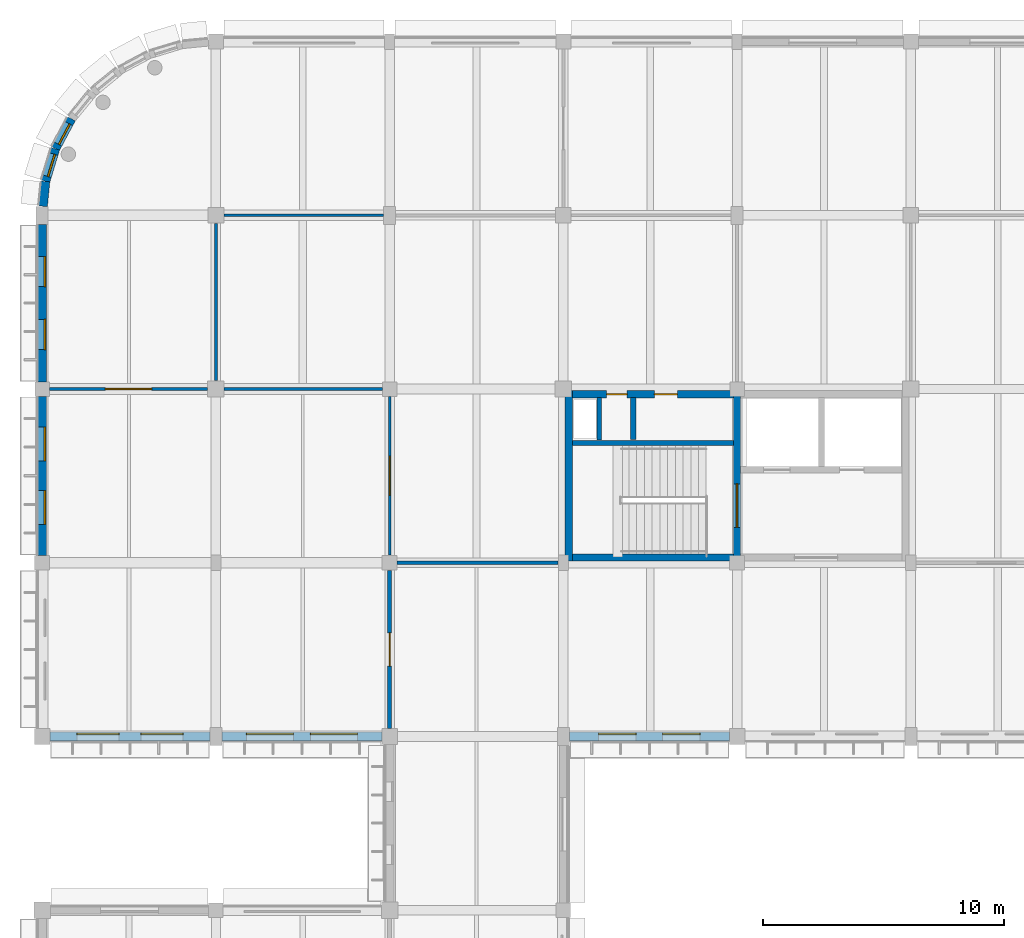
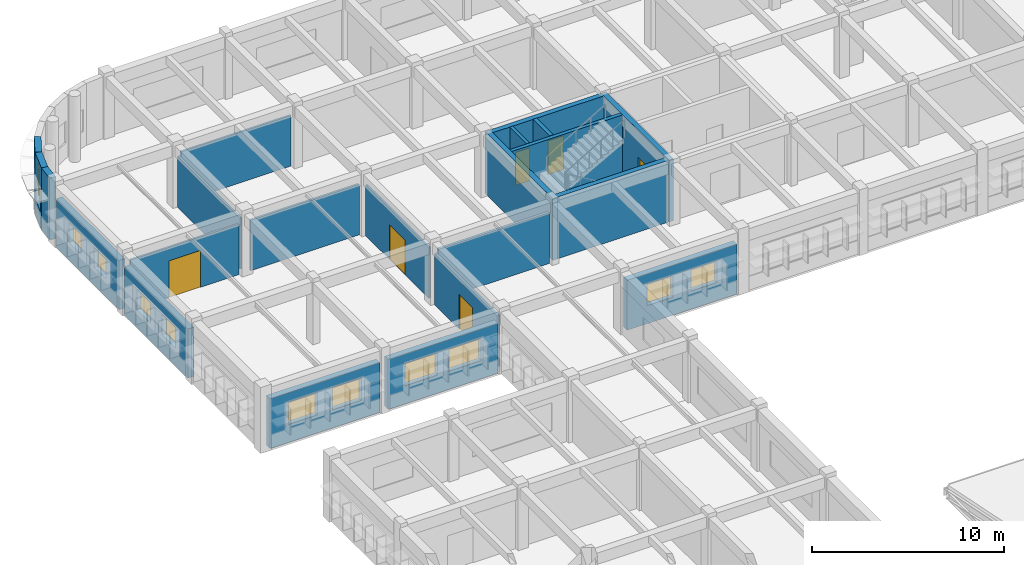
# One storey, part 86 of 103: 22 walls, 12 windows, 6 doors, 18 openings.
"""IFC4 building model written with IfcOpenShell, lengths in metres."""

from ifc_helpers import new_model, si_unit, direction, frame, frame_2d, origin, place, context, subcontext, project, spatial, rectangle, extrude, material, layer, layer_set, type_object, element, fill, save


model = new_model("IFC4")

# Units and contexts
model_context = context("Model", 3, precision=1e-05, world=origin(), true_north=direction((0.0, 1.0)))
body_context = subcontext(model_context, "Body", "Model", "MODEL_VIEW")
ifc_project = project(units=[si_unit("LENGTHUNIT", "METRE"), si_unit("AREAUNIT", "SQUARE_METRE"), si_unit("VOLUMEUNIT", "CUBIC_METRE"), si_unit("PLANEANGLEUNIT", "RADIAN"), si_unit("MASSUNIT", "GRAM", prefix="KILO")], contexts=[model_context])

# Site, building, storey
site_placement = place(None, origin())
site = spatial("IfcSite", under=ifc_project, at=site_placement, CompositionType="ELEMENT")
building_placement = place(site_placement, origin())
building = spatial("IfcBuilding", under=site, at=building_placement, Name="Thalmaran Polytechnic", CompositionType="ELEMENT")
storey_placement = place(building_placement, frame((0.0, 0.0, 14.39990234375)))
storey = spatial("IfcBuildingStorey", under=building, at=storey_placement, Name="L03", CompositionType="ELEMENT", Elevation=14.39990234375)

# Wall, openings, windows
ifc_material_1 = material(Name="Precast concrete C40/50", Category="concrete")
ifc_layer_1 = layer(ifc_material_1, 0.360107421875, Name="Precast concrete C40/50")
ifc_layer_set_1 = layer_set([ifc_layer_1], Name="Precast concrete C40/50")
wall_type_1 = type_object("IfcWallType", Name="WL-EW01", PredefinedType="STANDARD", material=ifc_layer_set_1)
wall_1_placement = place(storey_placement, frame((14.074951171875, 93.60009765625, 0.0), z_axis=(0.0, 0.0, 1.0), x_axis=(-1.0, 0.0, 0.0)))
wall_1 = element("IfcWall", 1, at=wall_1_placement, inside=storey, type_object=wall_type_1, Name="Exterior Precast Facade Wall L03-044", PredefinedType="STANDARD", context=body_context, shape_type="SweptSolid", body=[
    extrude(rectangle(XDim=6.625, YDim=0.360107421875, at=frame_2d((3.3125, 0.0))), origin(), (0.0, 0.0, 1.0), 3.18505859375),
])
opening_1_placement = place(wall_1_placement, frame((1.012451171875, 0.0, 1.14990234375)))
opening_1 = element("IfcOpeningElement", 2, at=opening_1_placement, cuts=wall_1, Name="Opening VW07", PredefinedType="OPENING", context=body_context, shape_type="SweptSolid", body=[
    extrude(rectangle(XDim=1.949951171875, YDim=1.39990234375, at=frame_2d((0.97509765625, 0.699951171875))), frame((0.0, 0.18994140625, 0.0), z_axis=(0.0, -1.0, 0.0), x_axis=(1.0, 0.0, 0.0)), (0.0, 0.0, 1.0), 0.380126953125),
])
opening_2_placement = place(wall_1_placement, frame((3.66259765625, 0.0, 1.14990234375)))
opening_2 = element("IfcOpeningElement", 3, at=opening_2_placement, cuts=wall_1, Name="Opening VW07", PredefinedType="OPENING", context=body_context, shape_type="SweptSolid", body=[
    extrude(rectangle(XDim=1.949951171875, YDim=1.39990234375, at=frame_2d((0.97509765625, 0.699951171875))), frame((0.0, 0.18994140625, 0.0), z_axis=(0.0, -1.0, 0.0), x_axis=(1.0, 0.0, 0.0)), (0.0, 0.0, 1.0), 0.380126953125),
])
ifc_material_2 = material(Name="Thermally broken aluminium and double low-E glass", Category="aluminium")
window_type_1 = type_object("IfcWindowType", Name="WN-VZ07", PartitioningType="SINGLE_PANEL", PredefinedType="WINDOW", material=ifc_material_2)
window_1_placement = place(opening_1_placement, origin())
window_1 = element("IfcWindow", 4, at=window_1_placement, inside=storey, type_object=window_type_1, Name="Deep-Set Solar-Screened Window W-0446", OverallHeight=1.39990234375, OverallWidth=1.949951171875, PartitioningType="SINGLE_PANEL", PredefinedType="WINDOW", context=body_context, shape_type="SweptSolid", body=[
    extrude(rectangle(XDim=1.949951171875, YDim=1.39990234375, at=frame_2d((0.97509765625, 0.699951171875))), frame((0.0, -0.080078125, 0.0), z_axis=(0.0, -1.0, 0.0), x_axis=(1.0, 0.0, 0.0)), (0.0, 0.0, 1.0), 0.06005859375),
])
fill(opening_1, window_1)
window_2_placement = place(opening_2_placement, origin())
window_2 = element("IfcWindow", 5, at=window_2_placement, inside=storey, type_object=window_type_1, Name="Deep-Set Solar-Screened Window W-0447", OverallHeight=1.39990234375, OverallWidth=1.949951171875, PartitioningType="SINGLE_PANEL", PredefinedType="WINDOW", context=body_context, shape_type="SweptSolid", body=[
    extrude(rectangle(XDim=1.949951171875, YDim=1.39990234375, at=frame_2d((0.97509765625, 0.699951171875))), frame((0.0, -0.080078125, 0.0), z_axis=(0.0, -1.0, 0.0), x_axis=(1.0, 0.0, 0.0)), (0.0, 0.0, 1.0), 0.06005859375),
])
fill(opening_2, window_2)

wall_2_placement = place(storey_placement, frame((6.949951171875, 93.60009765625, 0.0), z_axis=(0.0, 0.0, 1.0), x_axis=(-1.0, 0.0, 0.0)))
wall_2 = element("IfcWall", 6, at=wall_2_placement, inside=storey, type_object=wall_type_1, Name="Exterior Precast Facade Wall L03-045", PredefinedType="STANDARD", context=body_context, shape_type="SweptSolid", body=[
    extrude(rectangle(XDim=6.625, YDim=0.360107421875, at=frame_2d((3.3125, 0.0))), origin(), (0.0, 0.0, 1.0), 3.18505859375),
])
opening_3_placement = place(wall_2_placement, frame((1.112548828125, 0.0, 1.14990234375)))
opening_3 = element("IfcOpeningElement", 7, at=opening_3_placement, cuts=wall_2, Name="Opening VW08", PredefinedType="OPENING", context=body_context, shape_type="SweptSolid", body=[
    extrude(rectangle(XDim=1.75, YDim=1.39990234375, at=frame_2d((0.875, 0.699951171875))), frame((0.0, 0.18994140625, 0.0), z_axis=(0.0, -1.0, 0.0), x_axis=(1.0, 0.0, 0.0)), (0.0, 0.0, 1.0), 0.380126953125),
])
opening_4_placement = place(wall_2_placement, frame((3.762451171875, 0.0, 1.14990234375)))
opening_4 = element("IfcOpeningElement", 8, at=opening_4_placement, cuts=wall_2, Name="Opening VW08", PredefinedType="OPENING", context=body_context, shape_type="SweptSolid", body=[
    extrude(rectangle(XDim=1.75, YDim=1.39990234375, at=frame_2d((0.875, 0.699951171875))), frame((0.0, 0.18994140625, 0.0), z_axis=(0.0, -1.0, 0.0), x_axis=(1.0, 0.0, 0.0)), (0.0, 0.0, 1.0), 0.380126953125),
])
window_type_2 = type_object("IfcWindowType", Name="WN-VZ08", PartitioningType="SINGLE_PANEL", PredefinedType="WINDOW", material=ifc_material_2)
window_3_placement = place(opening_3_placement, origin())
window_3 = element("IfcWindow", 9, at=window_3_placement, inside=storey, type_object=window_type_2, Name="Deep-Set Solar-Screened Window W-0448", OverallHeight=1.39990234375, OverallWidth=1.75, PartitioningType="SINGLE_PANEL", PredefinedType="WINDOW", context=body_context, shape_type="SweptSolid", body=[
    extrude(rectangle(XDim=1.75, YDim=1.39990234375, at=frame_2d((0.875, 0.699951171875))), frame((0.0, -0.080078125, 0.0), z_axis=(0.0, -1.0, 0.0), x_axis=(1.0, 0.0, 0.0)), (0.0, 0.0, 1.0), 0.06005859375),
])
fill(opening_3, window_3)
window_4_placement = place(opening_4_placement, origin())
window_4 = element("IfcWindow", 10, at=window_4_placement, inside=storey, type_object=window_type_2, Name="Deep-Set Solar-Screened Window W-0449", OverallHeight=1.39990234375, OverallWidth=1.75, PartitioningType="SINGLE_PANEL", PredefinedType="WINDOW", context=body_context, shape_type="SweptSolid", body=[
    extrude(rectangle(XDim=1.75, YDim=1.39990234375, at=frame_2d((0.875, 0.699951171875))), frame((0.0, -0.080078125, 0.0), z_axis=(0.0, -1.0, 0.0), x_axis=(1.0, 0.0, 0.0)), (0.0, 0.0, 1.0), 0.06005859375),
])
fill(opening_4, window_4)

wall_3_placement = place(storey_placement, frame((0.0, 101.110107421875, 0.0), z_axis=(0.0, 0.0, 1.0), x_axis=(0.0, 1.0, 0.0)))
wall_3 = element("IfcWall", 11, at=wall_3_placement, inside=storey, type_object=wall_type_1, Name="Exterior Precast Facade Wall L03-047", PredefinedType="STANDARD", context=body_context, shape_type="SweptSolid", body=[
    extrude(rectangle(XDim=6.58984375, YDim=0.360107421875, at=frame_2d((3.294921875, 0.0))), origin(), (0.0, 0.0, 1.0), 3.135009765625),
])
opening_5_placement = place(wall_3_placement, frame((1.277099609375, 0.0, 1.14990234375)))
opening_5 = element("IfcOpeningElement", 12, at=opening_5_placement, cuts=wall_3, Name="Opening VW10", PredefinedType="OPENING", context=body_context, shape_type="SweptSolid", body=[
    extrude(rectangle(XDim=1.39990234375, YDim=1.300048828125, at=frame_2d((0.699951171875, 0.64990234375))), frame((0.0, 0.18994140625, 0.0), z_axis=(0.0, -1.0, 0.0), x_axis=(1.0, 0.0, 0.0)), (0.0, 0.0, 1.0), 0.380126953125),
])
opening_6_placement = place(wall_3_placement, frame((3.9130859375, 0.0, 1.14990234375)))
opening_6 = element("IfcOpeningElement", 13, at=opening_6_placement, cuts=wall_3, Name="Opening VW10", PredefinedType="OPENING", context=body_context, shape_type="SweptSolid", body=[
    extrude(rectangle(XDim=1.39990234375, YDim=1.300048828125, at=frame_2d((0.699951171875, 0.64990234375))), frame((0.0, 0.18994140625, 0.0), z_axis=(0.0, -1.0, 0.0), x_axis=(1.0, 0.0, 0.0)), (0.0, 0.0, 1.0), 0.380126953125),
])
window_type_3 = type_object("IfcWindowType", Name="WN-VZ10", PartitioningType="SINGLE_PANEL", PredefinedType="WINDOW", material=ifc_material_2)
window_5_placement = place(opening_5_placement, origin())
window_5 = element("IfcWindow", 14, at=window_5_placement, inside=storey, type_object=window_type_3, Name="Deep-Set Solar-Screened Window W-0452", OverallHeight=1.300048828125, OverallWidth=1.39990234375, PartitioningType="SINGLE_PANEL", PredefinedType="WINDOW", context=body_context, shape_type="SweptSolid", body=[
    extrude(rectangle(XDim=1.39990234375, YDim=1.300048828125, at=frame_2d((0.699951171875, 0.64990234375))), frame((0.0, -0.080078125, 0.0), z_axis=(0.0, -1.0, 0.0), x_axis=(1.0, 0.0, 0.0)), (0.0, 0.0, 1.0), 0.06005859375),
])
fill(opening_5, window_5)
window_6_placement = place(opening_6_placement, origin())
window_6 = element("IfcWindow", 15, at=window_6_placement, inside=storey, type_object=window_type_3, Name="Deep-Set Solar-Screened Window W-0453", OverallHeight=1.300048828125, OverallWidth=1.39990234375, PartitioningType="SINGLE_PANEL", PredefinedType="WINDOW", context=body_context, shape_type="SweptSolid", body=[
    extrude(rectangle(XDim=1.39990234375, YDim=1.300048828125, at=frame_2d((0.699951171875, 0.64990234375))), frame((0.0, -0.080078125, 0.0), z_axis=(0.0, -1.0, 0.0), x_axis=(1.0, 0.0, 0.0)), (0.0, 0.0, 1.0), 0.06005859375),
])
fill(opening_6, window_6)

wall_4_placement = place(storey_placement, frame((0.0, 108.300048828125, 0.0), z_axis=(0.0, 0.0, 1.0), x_axis=(0.0, 1.0, 0.0)))
wall_4 = element("IfcWall", 16, at=wall_4_placement, inside=storey, type_object=wall_type_1, Name="Exterior Precast Facade Wall L03-048", PredefinedType="STANDARD", context=body_context, shape_type="SweptSolid", body=[
    extrude(rectangle(XDim=6.52490234375, YDim=0.360107421875, at=frame_2d((3.262451171875, 0.0))), origin(), (0.0, 0.0, 1.0), 3.135009765625),
])
opening_7_placement = place(wall_4_placement, frame((1.33251953125, 0.0, 1.14990234375)))
opening_7 = element("IfcOpeningElement", 17, at=opening_7_placement, cuts=wall_4, Name="Opening VW11", PredefinedType="OPENING", context=body_context, shape_type="SweptSolid", body=[
    extrude(rectangle(XDim=1.25, YDim=1.25, at=frame_2d((0.625, 0.625))), frame((0.0, 0.18994140625, 0.0), z_axis=(0.0, -1.0, 0.0), x_axis=(1.0, 0.0, 0.0)), (0.0, 0.0, 1.0), 0.380126953125),
])
opening_8_placement = place(wall_4_placement, frame((3.9423828125, 0.0, 1.14990234375)))
opening_8 = element("IfcOpeningElement", 18, at=opening_8_placement, cuts=wall_4, Name="Opening VW11", PredefinedType="OPENING", context=body_context, shape_type="SweptSolid", body=[
    extrude(rectangle(XDim=1.25, YDim=1.25, at=frame_2d((0.625, 0.625))), frame((0.0, 0.18994140625, 0.0), z_axis=(0.0, -1.0, 0.0), x_axis=(1.0, 0.0, 0.0)), (0.0, 0.0, 1.0), 0.380126953125),
])
window_type_4 = type_object("IfcWindowType", Name="WN-VZ11", PartitioningType="SINGLE_PANEL", PredefinedType="WINDOW", material=ifc_material_2)
window_7_placement = place(opening_7_placement, origin())
window_7 = element("IfcWindow", 19, at=window_7_placement, inside=storey, type_object=window_type_4, Name="Deep-Set Solar-Screened Window W-0454", OverallHeight=1.25, OverallWidth=1.25, PartitioningType="SINGLE_PANEL", PredefinedType="WINDOW", context=body_context, shape_type="SweptSolid", body=[
    extrude(rectangle(XDim=1.25, YDim=1.25, at=frame_2d((0.625, 0.625))), frame((0.0, -0.080078125, 0.0), z_axis=(0.0, -1.0, 0.0), x_axis=(1.0, 0.0, 0.0)), (0.0, 0.0, 1.0), 0.06005859375),
])
fill(opening_7, window_7)
window_8_placement = place(opening_8_placement, origin())
window_8 = element("IfcWindow", 20, at=window_8_placement, inside=storey, type_object=window_type_4, Name="Deep-Set Solar-Screened Window W-0455", OverallHeight=1.25, OverallWidth=1.25, PartitioningType="SINGLE_PANEL", PredefinedType="WINDOW", context=body_context, shape_type="SweptSolid", body=[
    extrude(rectangle(XDim=1.25, YDim=1.25, at=frame_2d((0.625, 0.625))), frame((0.0, -0.080078125, 0.0), z_axis=(0.0, -1.0, 0.0), x_axis=(1.0, 0.0, 0.0)), (0.0, 0.0, 1.0), 0.06005859375),
])
fill(opening_8, window_8)

# Wall
wall_5_placement = place(storey_placement, frame((0.036865234375, 115.5732421875, 0.0), z_axis=(0.0, 0.0, 1.0), x_axis=(0.097987704654, 0.995187625394, 0.0)))
element("IfcWall", 21, at=wall_5_placement, inside=storey, type_object=wall_type_1, Name="Exterior Precast Facade Wall L03-049", PredefinedType="STANDARD", context=body_context, shape_type="SweptSolid", body=[
    extrude(rectangle(XDim=1.036376953125, YDim=0.360107421875, at=frame_2d((0.51806640625, 0.0))), origin(), (0.0, 0.0, 1.0), 3.940185546875),
])

# Wall, opening, window
wall_6_placement = place(storey_placement, frame((0.138427734375, 116.604736328125, 0.0), z_axis=(0.0, 0.0, 1.0), x_axis=(0.290266641956, 0.956945806495, 0.0)))
wall_6 = element("IfcWall", 22, at=wall_6_placement, inside=storey, type_object=wall_type_1, Name="Exterior Precast Facade Wall L03-050", PredefinedType="STANDARD", context=body_context, shape_type="SweptSolid", body=[
    extrude(rectangle(XDim=1.411376953125, YDim=0.360107421875, at=frame_2d((0.70556640625, 0.0))), origin(), (0.0, 0.0, 1.0), 3.940185546875),
])
opening_9_placement = place(wall_6_placement, frame((0.2255859375, 0.0, 1.0)))
opening_9 = element("IfcOpeningElement", 23, at=opening_9_placement, cuts=wall_6, Name="Opening CR01", PredefinedType="OPENING", context=body_context, shape_type="SweptSolid", body=[
    extrude(rectangle(XDim=0.9599609375, YDim=1.39990234375, at=frame_2d((0.47998046875, 0.699951171875))), frame((0.0, 0.18994140625, 0.0), z_axis=(0.0, -1.0, 0.0), x_axis=(1.0, 0.0, 0.0)), (0.0, 0.0, 1.0), 0.380126953125),
])
window_type_5 = type_object("IfcWindowType", Name="WN-CR01", PartitioningType="SINGLE_PANEL", PredefinedType="WINDOW", material=ifc_material_2)
window_9_placement = place(opening_9_placement, origin())
window_9 = element("IfcWindow", 24, at=window_9_placement, inside=storey, type_object=window_type_5, Name="Curved Prow Ribbon Window W-0456", OverallHeight=1.39990234375, OverallWidth=0.9599609375, PartitioningType="SINGLE_PANEL", PredefinedType="WINDOW", context=body_context, shape_type="SweptSolid", body=[
    extrude(rectangle(XDim=0.9599609375, YDim=1.39990234375, at=frame_2d((0.47998046875, 0.699951171875))), frame((0.0, -0.010009765625, 0.0), z_axis=(0.0, -1.0, 0.0), x_axis=(1.0, 0.0, 0.0)), (0.0, 0.0, 1.0), 0.06005859375),
])
fill(opening_9, window_9)

wall_7_placement = place(storey_placement, frame((0.548095703125, 117.955322265625, 0.0), z_axis=(0.0, 0.0, 1.0), x_axis=(0.471333199182, 0.881955222984, 0.0)))
wall_7 = element("IfcWall", 25, at=wall_7_placement, inside=storey, type_object=wall_type_1, Name="Exterior Precast Facade Wall L03-051", PredefinedType="STANDARD", context=body_context, shape_type="SweptSolid", body=[
    extrude(rectangle(XDim=1.411376953125, YDim=0.360107421875, at=frame_2d((0.70556640625, 0.0))), origin(), (0.0, 0.0, 1.0), 3.940185546875),
])
opening_10_placement = place(wall_7_placement, frame((0.2255859375, 0.0, 1.0)))
opening_10 = element("IfcOpeningElement", 26, at=opening_10_placement, cuts=wall_7, Name="Opening CR01", PredefinedType="OPENING", context=body_context, shape_type="SweptSolid", body=[
    extrude(rectangle(XDim=0.9599609375, YDim=1.39990234375, at=frame_2d((0.47998046875, 0.699951171875))), frame((0.0, 0.18994140625, 0.0), z_axis=(0.0, -1.0, 0.0), x_axis=(1.0, 0.0, 0.0)), (0.0, 0.0, 1.0), 0.380126953125),
])
window_10_placement = place(opening_10_placement, origin())
window_10 = element("IfcWindow", 27, at=window_10_placement, inside=storey, type_object=window_type_5, Name="Curved Prow Ribbon Window W-0457", OverallHeight=1.39990234375, OverallWidth=0.9599609375, PartitioningType="SINGLE_PANEL", PredefinedType="WINDOW", context=body_context, shape_type="SweptSolid", body=[
    extrude(rectangle(XDim=0.9599609375, YDim=1.39990234375, at=frame_2d((0.47998046875, 0.699951171875))), frame((0.0, -0.010009765625, 0.0), z_axis=(0.0, -1.0, 0.0), x_axis=(1.0, 0.0, 0.0)), (0.0, 0.0, 1.0), 0.06005859375),
])
fill(opening_10, window_10)

# Wall, openings, windows
wall_8_placement = place(storey_placement, frame((28.47509765625, 93.60009765625, 0.0), z_axis=(0.0, 0.0, 1.0), x_axis=(-1.0, 0.0, 0.0)))
wall_8 = element("IfcWall", 28, at=wall_8_placement, inside=storey, type_object=wall_type_1, Name="Exterior Precast Facade Wall L03-088", PredefinedType="STANDARD", context=body_context, shape_type="SweptSolid", body=[
    extrude(rectangle(XDim=6.625, YDim=0.360107421875, at=frame_2d((3.3125, 0.0))), origin(), (0.0, 0.0, 1.0), 3.18505859375),
])
opening_11_placement = place(wall_8_placement, frame((1.21240234375, 0.0, 1.14990234375)))
opening_11 = element("IfcOpeningElement", 29, at=opening_11_placement, cuts=wall_8, Name="Opening VW09", PredefinedType="OPENING", context=body_context, shape_type="SweptSolid", body=[
    extrude(rectangle(XDim=1.550048828125, YDim=1.35009765625, at=frame_2d((0.77490234375, 0.675048828125))), frame((0.0, 0.18994140625, 0.0), z_axis=(0.0, -1.0, 0.0), x_axis=(1.0, 0.0, 0.0)), (0.0, 0.0, 1.0), 0.380126953125),
])
opening_12_placement = place(wall_8_placement, frame((3.862548828125, 0.0, 1.14990234375)))
opening_12 = element("IfcOpeningElement", 30, at=opening_12_placement, cuts=wall_8, Name="Opening VW09", PredefinedType="OPENING", context=body_context, shape_type="SweptSolid", body=[
    extrude(rectangle(XDim=1.550048828125, YDim=1.35009765625, at=frame_2d((0.77490234375, 0.675048828125))), frame((0.0, 0.18994140625, 0.0), z_axis=(0.0, -1.0, 0.0), x_axis=(1.0, 0.0, 0.0)), (0.0, 0.0, 1.0), 0.380126953125),
])
window_type_6 = type_object("IfcWindowType", Name="WN-VZ09", PartitioningType="SINGLE_PANEL", PredefinedType="WINDOW", material=ifc_material_2)
window_11_placement = place(opening_11_placement, origin())
window_11 = element("IfcWindow", 31, at=window_11_placement, inside=storey, type_object=window_type_6, Name="Deep-Set Solar-Screened Window W-0505", OverallHeight=1.35009765625, OverallWidth=1.550048828125, PartitioningType="SINGLE_PANEL", PredefinedType="WINDOW", context=body_context, shape_type="SweptSolid", body=[
    extrude(rectangle(XDim=1.550048828125, YDim=1.35009765625, at=frame_2d((0.77490234375, 0.675048828125))), frame((0.0, -0.080078125, 0.0), z_axis=(0.0, -1.0, 0.0), x_axis=(1.0, 0.0, 0.0)), (0.0, 0.0, 1.0), 0.06005859375),
])
fill(opening_11, window_11)
window_12_placement = place(opening_12_placement, origin())
window_12 = element("IfcWindow", 32, at=window_12_placement, inside=storey, type_object=window_type_6, Name="Deep-Set Solar-Screened Window W-0506", OverallHeight=1.35009765625, OverallWidth=1.550048828125, PartitioningType="SINGLE_PANEL", PredefinedType="WINDOW", context=body_context, shape_type="SweptSolid", body=[
    extrude(rectangle(XDim=1.550048828125, YDim=1.35009765625, at=frame_2d((0.77490234375, 0.675048828125))), frame((0.0, -0.080078125, 0.0), z_axis=(0.0, -1.0, 0.0), x_axis=(1.0, 0.0, 0.0)), (0.0, 0.0, 1.0), 0.06005859375),
])
fill(opening_12, window_12)

# Walls
ifc_material_3 = material(Name="Autoclaved aerated masonry", Category="masonry")
ifc_layer_2 = layer(ifc_material_3, 0.22998046875, Name="Autoclaved aerated masonry")
ifc_layer_set_2 = layer_set([ifc_layer_2], Name="Autoclaved aerated masonry")
wall_type_2 = type_object("IfcWallType", Name="WL-IW02", PredefinedType="PARTITIONING", material=ifc_layer_set_2)
wall_9_placement = place(storey_placement, frame((24.5, 105.89990234375, 0.0), z_axis=(0.0, 0.0, 1.0), x_axis=(0.0, 1.0, 0.0)))
element("IfcWall", 33, at=wall_9_placement, inside=storey, type_object=wall_type_2, Name="Core C2 Riser Partition L03", PredefinedType="PARTITIONING", context=body_context, shape_type="SweptSolid", body=[
    extrude(rectangle(XDim=1.739990234375, YDim=0.22998046875, at=frame_2d((0.8701171875, 0.0))), origin(), (0.0, 0.0, 1.0), 3.940185546875),
])
ifc_layer_3 = layer(ifc_material_3, 0.179931640625, Name="Autoclaved aerated masonry")
ifc_layer_set_3 = layer_set([ifc_layer_3], Name="Autoclaved aerated masonry")
wall_type_3 = type_object("IfcWallType", Name="WL-IW04", PredefinedType="PARTITIONING", material=ifc_layer_set_3)
wall_10_placement = place(storey_placement, frame((23.080078125, 105.8798828125, 0.0), z_axis=(0.0, 0.0, 1.0), x_axis=(0.0, 1.0, 0.0)))
element("IfcWall", 34, at=wall_10_placement, inside=storey, type_object=wall_type_3, Name="Core C2 Riser Shaft Enclosure Wall L03", PredefinedType="PARTITIONING", context=body_context, shape_type="SweptSolid", body=[
    extrude(rectangle(XDim=1.760009765625, YDim=0.179931640625, at=frame_2d((0.8798828125, 0.0))), origin(), (0.0, 0.0, 1.0), 3.940185546875),
])

# Wall, opening, door
ifc_material_4 = material(Name="Gypsum acoustic partition")
ifc_layer_4 = layer(ifc_material_4, 0.159912109375, Name="Gypsum acoustic partition")
ifc_layer_set_4 = layer_set([ifc_layer_4], Name="Gypsum acoustic partition")
wall_type_4 = type_object("IfcWallType", Name="WL-IW05", PredefinedType="PARTITIONING", material=ifc_layer_set_4)
wall_11_placement = place(storey_placement, frame((14.39990234375, 93.929931640625, 0.0), z_axis=(0.0, 0.0, 1.0), x_axis=(0.0, 1.0, 0.0)))
wall_11 = element("IfcWall", 35, at=wall_11_placement, inside=storey, type_object=wall_type_4, Name="Interior Partition IW05 L03-022", PredefinedType="PARTITIONING", context=body_context, shape_type="SweptSolid", body=[
    extrude(rectangle(XDim=6.55517578125, YDim=0.159912109375, at=frame_2d((3.277587890625, 0.0))), origin(), (0.0, 0.0, 1.0), 3.255126953125),
])
opening_13_placement = place(wall_11_placement, frame((2.58740234375, 0.0, 0.0)))
opening_13 = element("IfcOpeningElement", 36, at=opening_13_placement, cuts=wall_11, Name="Opening D-L03-010-2-01-1", PredefinedType="OPENING", context=body_context, shape_type="SweptSolid", body=[
    extrude(rectangle(XDim=1.3798828125, YDim=2.219970703125, at=frame_2d((0.68994140625, 1.10986328125))), frame((0.0, 0.08984375, 0.0), z_axis=(0.0, -1.0, 0.0), x_axis=(1.0, 0.0, 0.0)), (0.0, 0.0, 1.0), 0.179931640625),
])
ifc_material_5 = material(Name="Acoustic hardwood and vision glass", Category="wood")
door_type_1 = type_object("IfcDoorType", Name="DR-ZD04", OperationType="NOTDEFINED", PredefinedType="DOOR", material=ifc_material_5)
door_1_placement = place(opening_13_placement, origin())
door_1 = element("IfcDoor", 37, at=door_1_placement, inside=storey, type_object=door_type_1, Name="Urban Design Studio L03-01 Door 1", OperationType="SINGLE_SWING_RIGHT", OverallHeight=2.219970703125, OverallWidth=1.3798828125, PredefinedType="DOOR", context=body_context, shape_type="SweptSolid", body=[
    extrude(rectangle(XDim=1.3798828125, YDim=2.219970703125, at=frame_2d((0.68994140625, 1.10986328125))), frame((0.0, 0.02490234375, 0.0), z_axis=(0.0, -1.0, 0.0), x_axis=(1.0, 0.0, 0.0)), (0.0, 0.0, 1.0), 0.050048828125),
])
fill(opening_13, door_1)

# Walls
wall_12_placement = place(storey_placement, frame((14.715087890625, 100.800048828125, 0.0), z_axis=(0.0, 0.0, 1.0), x_axis=(1.0, 0.0, 0.0)))
element("IfcWall", 38, at=wall_12_placement, inside=storey, type_object=wall_type_4, Name="Interior Partition IW05 L03-027", PredefinedType="PARTITIONING", context=body_context, shape_type="SweptSolid", body=[
    extrude(rectangle(XDim=6.669921875, YDim=0.159912109375, at=frame_2d((3.3349609375, 0.0))), origin(), (0.0, 0.0, 1.0), 3.239990234375),
])
ifc_layer_5 = layer(ifc_material_4, 0.1298828125, Name="Gypsum acoustic partition")
ifc_layer_set_5 = layer_set([ifc_layer_5], Name="Gypsum acoustic partition")
wall_type_5 = type_object("IfcWallType", Name="WL-IW07", PredefinedType="PARTITIONING", material=ifc_layer_set_5)
wall_13_placement = place(storey_placement, frame((7.199951171875, 108.344970703125, 0.0), z_axis=(0.0, 0.0, 1.0), x_axis=(0.0, 1.0, 0.0)))
element("IfcWall", 39, at=wall_13_placement, inside=storey, type_object=wall_type_5, Name="Interior Partition IW07 L03-010", PredefinedType="PARTITIONING", context=body_context, shape_type="SweptSolid", body=[
    extrude(rectangle(XDim=6.525146484375, YDim=0.1298828125, at=frame_2d((3.2626953125, 0.0))), origin(), (0.0, 0.0, 1.0), 3.2451171875),
])
wall_14_placement = place(storey_placement, frame((7.544921875, 108.0, 0.0), z_axis=(0.0, 0.0, 1.0), x_axis=(1.0, 0.0, 0.0)))
element("IfcWall", 40, at=wall_14_placement, inside=storey, type_object=wall_type_5, Name="Interior Partition IW07 L03-024", PredefinedType="PARTITIONING", context=body_context, shape_type="SweptSolid", body=[
    extrude(rectangle(XDim=6.550048828125, YDim=0.1298828125, at=frame_2d((3.27490234375, 0.0))), origin(), (0.0, 0.0, 1.0), 3.22021484375),
])

# Wall, opening, door
ifc_layer_6 = layer(ifc_material_4, 0.114990234375, Name="Gypsum acoustic partition")
ifc_layer_set_6 = layer_set([ifc_layer_6], Name="Gypsum acoustic partition")
wall_type_6 = type_object("IfcWallType", Name="WL-IW08", PredefinedType="PARTITIONING", material=ifc_layer_set_6)
wall_15_placement = place(storey_placement, frame((0.304931640625, 108.0, 0.0), z_axis=(0.0, 0.0, 1.0), x_axis=(1.0, 0.0, 0.0)))
wall_15 = element("IfcWall", 41, at=wall_15_placement, inside=storey, type_object=wall_type_6, Name="Interior Partition IW08 L03-009", PredefinedType="PARTITIONING", context=body_context, shape_type="SweptSolid", body=[
    extrude(rectangle(XDim=6.550048828125, YDim=0.114990234375, at=frame_2d((3.27490234375, 0.0))), origin(), (0.0, 0.0, 1.0), 3.215087890625),
])
opening_14_placement = place(wall_15_placement, frame((2.31494140625, 0.0, 0.0)))
opening_14 = element("IfcOpeningElement", 42, at=opening_14_placement, cuts=wall_15, Name="Opening D-L03-016-2-06-1", PredefinedType="OPENING", context=body_context, shape_type="SweptSolid", body=[
    extrude(rectangle(XDim=1.919921875, YDim=2.35009765625, at=frame_2d((0.9599609375, 1.175048828125))), frame((0.0, 0.0673828125, 0.0), z_axis=(0.0, -1.0, 0.0), x_axis=(1.0, 0.0, 0.0)), (0.0, 0.0, 1.0), 0.135009765625),
])
door_type_2 = type_object("IfcDoorType", Name="DR-ZD01", OperationType="NOTDEFINED", PredefinedType="DOOR", material=ifc_material_5)
door_2_placement = place(opening_14_placement, origin())
door_2 = element("IfcDoor", 43, at=door_2_placement, inside=storey, type_object=door_type_2, Name="Seminar Room L03-06 Door 1", OperationType="SINGLE_SWING_LEFT", OverallHeight=2.35009765625, OverallWidth=1.919921875, PredefinedType="DOOR", context=body_context, shape_type="SweptSolid", body=[
    extrude(rectangle(XDim=1.919921875, YDim=2.35009765625, at=frame_2d((0.9599609375, 1.175048828125))), frame((0.0, 0.02490234375, 0.0), z_axis=(0.0, -1.0, 0.0), x_axis=(1.0, 0.0, 0.0)), (0.0, 0.0, 1.0), 0.050048828125),
])
fill(opening_14, door_2)

wall_16_placement = place(storey_placement, frame((14.39990234375, 101.114990234375, 0.0), z_axis=(0.0, 0.0, 1.0), x_axis=(0.0, 1.0, 0.0)))
wall_16 = element("IfcWall", 44, at=wall_16_placement, inside=storey, type_object=wall_type_6, Name="Interior Partition IW08 L03-023", PredefinedType="PARTITIONING", context=body_context, shape_type="SweptSolid", body=[
    extrude(rectangle(XDim=6.580078125, YDim=0.114990234375, at=frame_2d((3.2900390625, 0.0))), origin(), (0.0, 0.0, 1.0), 3.25),
])
opening_15_placement = place(wall_16_placement, frame((2.489990234375, 0.0, 0.0)))
opening_15 = element("IfcOpeningElement", 45, at=opening_15_placement, cuts=wall_16, Name="Opening D-L03-011-2-02-1", PredefinedType="OPENING", context=body_context, shape_type="SweptSolid", body=[
    extrude(rectangle(XDim=1.60009765625, YDim=2.199951171875, at=frame_2d((0.800048828125, 1.10009765625))), frame((0.0, 0.0673828125, 0.0), z_axis=(0.0, -1.0, 0.0), x_axis=(1.0, 0.0, 0.0)), (0.0, 0.0, 1.0), 0.135009765625),
])
ifc_material_6 = material(Name="Powder-coated fire-rated steel", Category="steel")
door_type_3 = type_object("IfcDoorType", Name="DR-FD05", OperationType="NOTDEFINED", PredefinedType="DOOR", material=ifc_material_6)
door_3_placement = place(opening_15_placement, origin())
door_3 = element("IfcDoor", 46, at=door_3_placement, inside=storey, type_object=door_type_3, Name="Technical Reference Library Reading Room L03-02 Door 1", OperationType="DOUBLE_DOOR_SINGLE_SWING", OverallHeight=2.199951171875, OverallWidth=1.60009765625, PredefinedType="DOOR", context=body_context, shape_type="SweptSolid", body=[
    extrude(rectangle(XDim=1.60009765625, YDim=2.199951171875, at=frame_2d((0.800048828125, 1.10009765625))), frame((0.0, 0.02490234375, 0.0), z_axis=(0.0, -1.0, 0.0), x_axis=(1.0, 0.0, 0.0)), (0.0, 0.0, 1.0), 0.050048828125),
])
fill(opening_15, door_3)

# Walls
wall_17_placement = place(storey_placement, frame((7.530029296875, 115.199951171875, 0.0), z_axis=(0.0, 0.0, 1.0), x_axis=(1.0, 0.0, 0.0)))
element("IfcWall", 47, at=wall_17_placement, inside=storey, type_object=wall_type_6, Name="Interior Partition IW08 L03-025", PredefinedType="PARTITIONING", context=body_context, shape_type="SweptSolid", body=[
    extrude(rectangle(XDim=6.614990234375, YDim=0.114990234375, at=frame_2d((3.3076171875, 0.0))), origin(), (0.0, 0.0, 1.0), 3.22021484375),
])
ifc_material_7 = material(Name="Concrete C50/60", Category="concrete")
ifc_layer_7 = layer(ifc_material_7, 0.300048828125, Name="Concrete C50/60")
ifc_layer_set_7 = layer_set([ifc_layer_7], Name="Concrete C50/60")
wall_type_7 = type_object("IfcWallType", Name="WL-SW04", PredefinedType="SHEAR", material=ifc_layer_set_7)
wall_18_placement = place(storey_placement, frame((21.969970703125, 101.02001953125, 0.0), z_axis=(0.0, 0.0, 1.0), x_axis=(1.0, 0.0, 0.0)))
element("IfcWall", 48, at=wall_18_placement, inside=storey, type_object=wall_type_7, Name="Core C2 South Shear Wall L03", PredefinedType="SHEAR", context=body_context, shape_type="SweptSolid", body=[
    extrude(rectangle(XDim=6.679931640625, YDim=0.300048828125, at=frame_2d((3.33984375, 0.0))), origin(), (0.0, 0.0, 1.0), 3.940185546875),
])
wall_19_placement = place(storey_placement, frame((21.820068359375, 107.929931640625, 0.0), z_axis=(0.0, 0.0, 1.0), x_axis=(0.0, -1.0, 0.0)))
element("IfcWall", 49, at=wall_19_placement, inside=storey, type_object=wall_type_7, Name="Core C2 West Shear Wall L03", PredefinedType="SHEAR", context=body_context, shape_type="SweptSolid", body=[
    extrude(rectangle(XDim=7.059814453125, YDim=0.300048828125, at=frame_2d((3.52978515625, 0.0))), origin(), (0.0, 0.0, 1.0), 3.940185546875),
])

# Wall, openings, doors
wall_20_placement = place(storey_placement, frame((21.969970703125, 107.780029296875, 0.0), z_axis=(0.0, 0.0, 1.0), x_axis=(1.0, 0.0, 0.0)))
wall_20 = element("IfcWall", 50, at=wall_20_placement, inside=storey, type_object=wall_type_7, Name="Core C2 North Shear Wall L03", PredefinedType="SHEAR", context=body_context, shape_type="SweptSolid", body=[
    extrude(rectangle(XDim=6.679931640625, YDim=0.300048828125, at=frame_2d((3.33984375, 0.0))), origin(), (0.0, 0.0, 1.0), 3.940185546875),
])
opening_16_placement = place(wall_20_placement, frame((1.419921875, 0.0, 0.0)))
opening_16 = element("IfcOpeningElement", 51, at=opening_16_placement, cuts=wall_20, Name="Opening DR-C2-L03-R", PredefinedType="OPENING", context=body_context, shape_type="SweptSolid", body=[
    extrude(rectangle(XDim=0.85009765625, YDim=2.10009765625, at=frame_2d((0.425048828125, 1.050048828125))), frame((0.0, 0.159912109375, 0.0), z_axis=(0.0, -1.0, 0.0), x_axis=(1.0, 0.0, 0.0)), (0.0, 0.0, 1.0), 0.320068359375),
])
opening_17_placement = place(wall_20_placement, frame((3.39990234375, 0.0, 0.0)))
opening_17 = element("IfcOpeningElement", 52, at=opening_17_placement, cuts=wall_20, Name="Opening ED-C2-L03-E", PredefinedType="OPENING", context=body_context, shape_type="SweptSolid", body=[
    extrude(rectangle(XDim=0.949951171875, YDim=2.14990234375, at=frame_2d((0.47509765625, 1.074951171875))), frame((0.0, 0.159912109375, 0.0), z_axis=(0.0, -1.0, 0.0), x_axis=(1.0, 0.0, 0.0)), (0.0, 0.0, 1.0), 0.320068359375),
])
door_type_4 = type_object("IfcDoorType", Name="DR-FD08", OperationType="NOTDEFINED", PredefinedType="DOOR", material=ifc_material_6)
door_4_placement = place(opening_17_placement, origin())
door_4 = element("IfcDoor", 53, at=door_4_placement, inside=storey, type_object=door_type_4, Name="Electrical Riser Door C2 L03", OperationType="SINGLE_SWING_LEFT", OverallHeight=2.14990234375, OverallWidth=0.949951171875, PredefinedType="DOOR", context=body_context, shape_type="SweptSolid", body=[
    extrude(rectangle(XDim=0.949951171875, YDim=2.14990234375, at=frame_2d((0.47509765625, 1.074951171875))), frame((0.0, 0.02490234375, 0.0), z_axis=(0.0, -1.0, 0.0), x_axis=(1.0, 0.0, 0.0)), (0.0, 0.0, 1.0), 0.050048828125),
])
fill(opening_17, door_4)
door_type_5 = type_object("IfcDoorType", Name="DR-FD09", OperationType="NOTDEFINED", PredefinedType="DOOR", material=ifc_material_6)
door_5_placement = place(opening_16_placement, origin())
door_5 = element("IfcDoor", 54, at=door_5_placement, inside=storey, type_object=door_type_5, Name="Riser Access Fire Door C2 L03", OperationType="SINGLE_SWING_LEFT", OverallHeight=2.10009765625, OverallWidth=0.85009765625, PredefinedType="DOOR", context=body_context, shape_type="SweptSolid", body=[
    extrude(rectangle(XDim=0.85009765625, YDim=2.10009765625, at=frame_2d((0.425048828125, 1.050048828125))), frame((0.0, 0.02490234375, 0.0), z_axis=(0.0, -1.0, 0.0), x_axis=(1.0, 0.0, 0.0)), (0.0, 0.0, 1.0), 0.050048828125),
])
fill(opening_16, door_5)

# Wall
wall_21_placement = place(storey_placement, frame((21.969970703125, 105.760009765625, 0.0), z_axis=(0.0, 0.0, 1.0), x_axis=(1.0, 0.0, 0.0)))
element("IfcWall", 55, at=wall_21_placement, inside=storey, type_object=wall_type_7, Name="Core C2 Stair Partition L03", PredefinedType="SHEAR", context=body_context, shape_type="SweptSolid", body=[
    extrude(rectangle(XDim=6.679931640625, YDim=0.219970703125, at=frame_2d((3.33984375, 0.0))), origin(), (0.0, 0.0, 1.0), 3.940185546875),
])

# Wall, opening, door
wall_22_placement = place(storey_placement, frame((28.800048828125, 100.8701171875, 0.0), z_axis=(0.0, 0.0, 1.0), x_axis=(0.0, 1.0, 0.0)))
wall_22 = element("IfcWall", 56, at=wall_22_placement, inside=storey, type_object=wall_type_7, Name="Core C2 Stair-Lobby Dividing Shear Wall L03", PredefinedType="SHEAR", context=body_context, shape_type="SweptSolid", body=[
    extrude(rectangle(XDim=7.059814453125, YDim=0.300048828125, at=frame_2d((3.52978515625, 0.0))), origin(), (0.0, 0.0, 1.0), 3.940185546875),
])
opening_18_placement = place(wall_22_placement, frame((1.39990234375, 0.0, 0.0)))
opening_18 = element("IfcOpeningElement", 57, at=opening_18_placement, cuts=wall_22, Name="Opening SD-ST2-L03", PredefinedType="OPENING", context=body_context, shape_type="SweptSolid", body=[
    extrude(rectangle(XDim=1.800048828125, YDim=2.199951171875, at=frame_2d((0.89990234375, 1.10009765625))), frame((0.0, 0.159912109375, 0.0), z_axis=(0.0, -1.0, 0.0), x_axis=(1.0, 0.0, 0.0)), (0.0, 0.0, 1.0), 0.320068359375),
])
door_type_6 = type_object("IfcDoorType", Name="DR-FD03", OperationType="NOTDEFINED", PredefinedType="DOOR", material=ifc_material_6)
door_6_placement = place(opening_18_placement, origin())
door_6 = element("IfcDoor", 58, at=door_6_placement, inside=storey, type_object=door_type_6, Name="Firefighting Lobby to Exit Stair Door ST2 L03", OperationType="SINGLE_SWING_RIGHT", OverallHeight=2.199951171875, OverallWidth=1.800048828125, PredefinedType="DOOR", context=body_context, shape_type="SweptSolid", body=[
    extrude(rectangle(XDim=1.800048828125, YDim=2.199951171875, at=frame_2d((0.89990234375, 1.10009765625))), frame((0.0, 0.02490234375, 0.0), z_axis=(0.0, -1.0, 0.0), x_axis=(1.0, 0.0, 0.0)), (0.0, 0.0, 1.0), 0.050048828125),
])
fill(opening_18, door_6)

save(model, "model.ifc")
